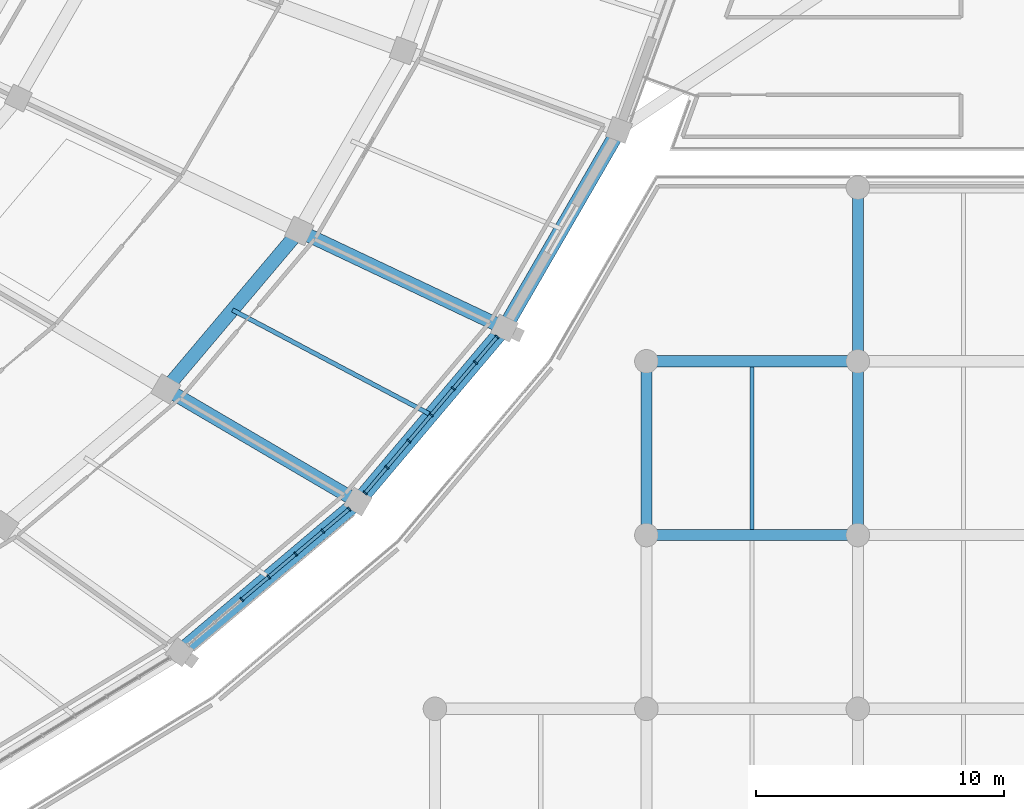
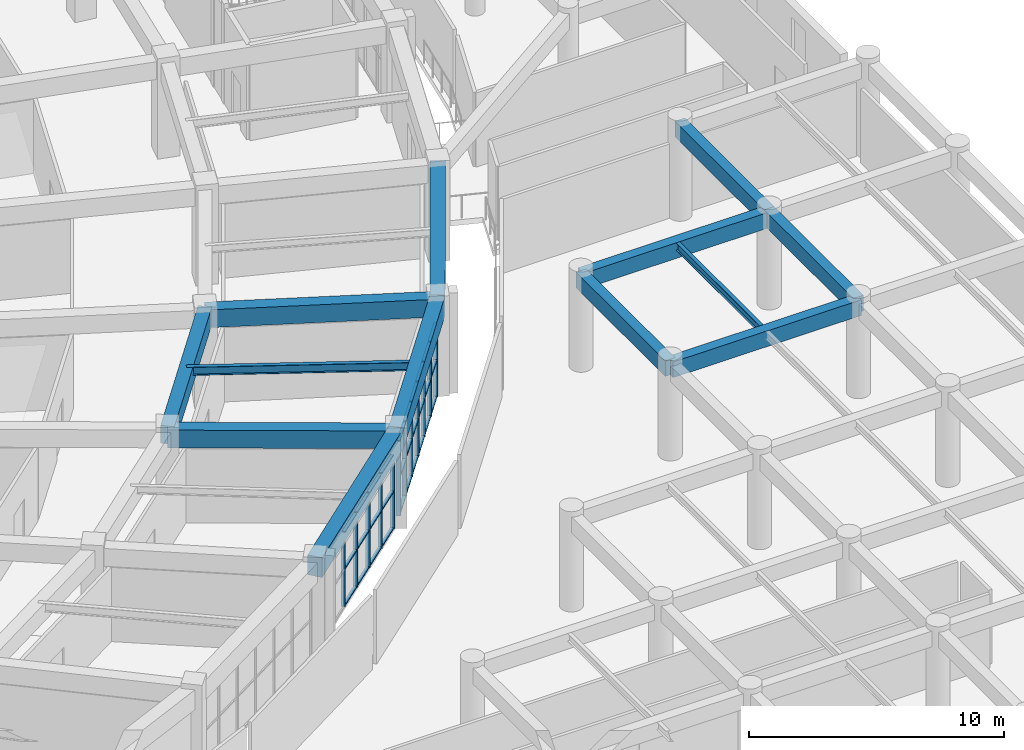
# One storey, part 44 of 152: 42 members, 13 beams, 2 elements without a shape of their own.
"""IFC4 building model written with IfcOpenShell, lengths in metres."""

from ifc_helpers import new_model, si_unit, direction, frame, origin, origin_2d, place, context, subcontext, project, spatial, rectangle, i_section, extrude, material, layer, layer_set, material_profile, profile_set, type_object, element, aggregate, save


model = new_model("IFC4")

# Units and contexts
model_context = context("Model", 3, precision=1e-05, world=origin(), true_north=direction((0.0, 1.0)))
body_context = subcontext(model_context, "Body", "Model", "MODEL_VIEW")
ifc_project = project(units=[si_unit("LENGTHUNIT", "METRE"), si_unit("AREAUNIT", "SQUARE_METRE"), si_unit("VOLUMEUNIT", "CUBIC_METRE"), si_unit("PLANEANGLEUNIT", "RADIAN"), si_unit("MASSUNIT", "GRAM", prefix="KILO")], contexts=[model_context])

# Site, building, storey
site_placement = place(None, origin())
site = spatial("IfcSite", under=ifc_project, at=site_placement, CompositionType="ELEMENT")
building_placement = place(site_placement, origin())
building = spatial("IfcBuilding", under=site, at=building_placement, Name="Mphavela Belvedere Stadium", CompositionType="ELEMENT")
storey_placement = place(building_placement, frame((0.0, 0.0, 5.39990234375)))
storey = spatial("IfcBuildingStorey", under=building, at=storey_placement, Name="L01", CompositionType="ELEMENT", Elevation=5.39990234375)

# Beams
ifc_material_1 = material(Name="Concrete C40/50", Category="concrete")
ifc_material_profile_1 = material_profile(ifc_material_1, rectangle(XDim=0.60009765625, YDim=0.949951171875, at=origin_2d()), Name="RC 600x950")
ifc_profile_set_1 = profile_set([ifc_material_profile_1], Name="Concrete C40/50")
beam_type_1 = type_object("IfcBeamType", Name="BM-ENTABLATURE-950", PredefinedType="SPANDREL", material=ifc_profile_set_1)
beam_1_placement = place(storey_placement, frame((194.155517578125, 30.285400390625, 4.0751953125), z_axis=(0.76426547638, 0.644901761212, 0.0), x_axis=(-0.644901761212, 0.76426547638, 0.0)))
element("IfcBeam", 1, at=beam_1_placement, inside=storey, type_object=beam_type_1, Name="Circumferential girder L01 R4-43", PredefinedType="SPANDREL", context=body_context, shape_type="SweptSolid", body=[
    extrude(rectangle(XDim=0.60009765625, YDim=0.949951171875, at=origin_2d()), origin(), (0.0, 0.0, 1.0), 9.3984375),
])
beam_2_placement = place(storey_placement, frame((201.33837890625, 36.346435546875, 4.0751953125), z_axis=(0.645164552218, 0.764043650952, 0.0), x_axis=(-0.764043650952, 0.645164552218, 0.0)))
element("IfcBeam", 2, at=beam_2_placement, inside=storey, type_object=beam_type_1, Name="Circumferential girder L01 R4-44", PredefinedType="SPANDREL", context=body_context, shape_type="SweptSolid", body=[
    extrude(rectangle(XDim=0.60009765625, YDim=0.949951171875, at=origin_2d()), origin(), (0.0, 0.0, 1.0), 9.151123046875),
])
beam_3_placement = place(storey_placement, frame((207.242431640625, 43.33837890625, 4.0751953125), z_axis=(0.500565297122, 0.865698783248, 0.0), x_axis=(-0.865698783248, 0.500565297122, 0.0)))
element("IfcBeam", 3, at=beam_3_placement, inside=storey, type_object=beam_type_1, Name="Circumferential girder L01 R4-45", PredefinedType="SPANDREL", context=body_context, shape_type="SweptSolid", body=[
    extrude(rectangle(XDim=0.60009765625, YDim=0.949951171875, at=origin_2d()), origin(), (0.0, 0.0, 1.0), 9.217041015625),
])
ifc_material_2 = material(Name="Steel S355", Category="steel")
ifc_material_profile_2 = material_profile(ifc_material_2, i_section(OverallWidth=0.169921875, OverallDepth=0.360107421875, WebThickness=0.008056640625, FlangeThickness=0.0126953125, at=origin_2d()), Name="IPE 360")
ifc_profile_set_2 = profile_set([ifc_material_profile_2], Name="Steel S355")
beam_type_2 = type_object("IfcBeamType", Name="BM-JOIST-IPE360", PredefinedType="JOIST", material=ifc_profile_set_2)
beam_4_placement = place(storey_placement, frame((217.221923828125, 35.22509765625, 4.360107421875), z_axis=(0.0, 1.0, 0.0), x_axis=(-1.0, 0.0, 0.0)))
element("IfcBeam", 4, at=beam_4_placement, inside=storey, type_object=beam_type_2, Name="South Axial Triumphal Peristyle Portico secondary joist L01 26-6", PredefinedType="JOIST", context=body_context, shape_type="SweptSolid", body=[
    extrude(i_section(OverallWidth=0.169921875, OverallDepth=0.360107421875, WebThickness=0.008056640625, FlangeThickness=0.0126953125, at=origin_2d()), origin(), (0.0, 0.0, 1.0), 6.5498046875),
])
ifc_material_3 = material(Name="Steel S355", Category="steel")
ifc_material_profile_3 = material_profile(ifc_material_3, i_section(OverallWidth=0.179931640625, OverallDepth=0.39990234375, WebThickness=0.008544921875, FlangeThickness=0.013427734375, at=origin_2d()), Name="IPE 400")
ifc_profile_set_3 = profile_set([ifc_material_profile_3], Name="Steel S355")
beam_type_3 = type_object("IfcBeamType", Name="BM-JOIST-IPE400", PredefinedType="JOIST", material=ifc_profile_set_3)
beam_5_placement = place(storey_placement, frame((196.2880859375, 44.06884765625, 4.35009765625), z_axis=(0.884250771824, -0.467012390123, 0.0), x_axis=(0.467012390123, 0.884250771824, 0.0)))
element("IfcBeam", 5, at=beam_5_placement, inside=storey, type_object=beam_type_3, Name="Concourse floor joist L01-44", PredefinedType="JOIST", context=body_context, shape_type="SweptSolid", body=[
    extrude(i_section(OverallWidth=0.179931640625, OverallDepth=0.39990234375, WebThickness=0.008544921875, FlangeThickness=0.013427734375, at=origin_2d()), origin(), (0.0, 0.0, 1.0), 9.0498046875),
])
ifc_material_4 = material(Name="Concrete C40/50", Category="concrete")
ifc_material_profile_4 = material_profile(ifc_material_4, rectangle(XDim=0.449951171875, YDim=0.75, at=origin_2d()), Name="RC 450x750")
ifc_profile_set_4 = profile_set([ifc_material_profile_4], Name="Concrete C40/50")
beam_type_4 = type_object("IfcBeamType", Name="BM-RC450x750", PredefinedType="BEAM", material=ifc_profile_set_4)
beam_6_placement = place(storey_placement, frame((212.962890625, 35.0, 4.1650390625), z_axis=(1.0, 0.0, 0.0), x_axis=(0.0, 1.0, 0.0)))
element("IfcBeam", 6, at=beam_6_placement, inside=storey, type_object=beam_type_4, Name="South Axial Triumphal Peristyle Portico entablature beam X L01 26-6", PredefinedType="BEAM", context=body_context, shape_type="SweptSolid", body=[
    extrude(rectangle(XDim=0.449951171875, YDim=0.75, at=origin_2d()), origin(), (0.0, 0.0, 1.0), 8.51806640625),
])
beam_7_placement = place(storey_placement, frame((212.962890625, 35.0, 4.1650390625), z_axis=(0.0, 1.0, 0.0), x_axis=(-1.0, 0.0, 0.0)))
element("IfcBeam", 7, at=beam_7_placement, inside=storey, type_object=beam_type_4, Name="South Axial Triumphal Peristyle Portico entablature beam Y L01 26-6", PredefinedType="BEAM", context=body_context, shape_type="SweptSolid", body=[
    extrude(rectangle(XDim=0.449951171875, YDim=0.75, at=origin_2d()), origin(), (0.0, 0.0, 1.0), 7.0),
])
beam_8_placement = place(storey_placement, frame((212.962890625, 42.0, 4.1650390625), z_axis=(1.0, 0.0, 0.0), x_axis=(0.0, 1.0, 0.0)))
element("IfcBeam", 8, at=beam_8_placement, inside=storey, type_object=beam_type_4, Name="South Axial Triumphal Peristyle Portico entablature beam X L01 26-7", PredefinedType="BEAM", context=body_context, shape_type="SweptSolid", body=[
    extrude(rectangle(XDim=0.449951171875, YDim=0.75, at=origin_2d()), origin(), (0.0, 0.0, 1.0), 8.51806640625),
])
for number, where, z_axis, x_axis, name in (
    (9, (221.48095703125, 35.0, 4.1650390625), (0.0, 1.0, 0.0), (-1.0, 0.0, 0.0), "South Axial Triumphal Peristyle Portico entablature beam Y L01 27-6"),
    (10, (221.48095703125, 42.0, 4.1650390625), (0.0, 1.0, 0.0), (-1.0, 0.0, 0.0), "South Axial Triumphal Peristyle Portico entablature beam Y L01 27-7"),
):
    element("IfcBeam", number, at=place(storey_placement, frame(where, z_axis=z_axis, x_axis=x_axis)), inside=storey, type_object=beam_type_4, Name=name, PredefinedType="BEAM", context=body_context, shape_type="SweptSolid", body=[
        extrude(rectangle(XDim=0.449951171875, YDim=0.75, at=origin_2d()), origin(), (0.0, 0.0, 1.0), 7.0),
    ])
ifc_material_5 = material(Name="Concrete C40/50", Category="concrete")
ifc_material_profile_5 = material_profile(ifc_material_5, rectangle(XDim=0.550048828125, YDim=0.85009765625, at=origin_2d()), Name="RC 550x850")
ifc_profile_set_5 = profile_set([ifc_material_profile_5], Name="Concrete C40/50")
beam_type_5 = type_object("IfcBeamType", Name="BM-RC550x850", PredefinedType="BEAM", material=ifc_profile_set_5)
beam_9_placement = place(storey_placement, frame((193.600341796875, 40.88623046875, 4.125), z_axis=(0.645177396673, 0.764032804808, 0.0), x_axis=(-0.764032804808, 0.645177396673, 0.0)))
element("IfcBeam", 11, at=beam_9_placement, inside=storey, type_object=beam_type_5, Name="Circumferential girder L01 R3-44", PredefinedType="BEAM", context=body_context, shape_type="SweptSolid", body=[
    extrude(rectangle(XDim=0.550048828125, YDim=0.85009765625, at=origin_2d()), origin(), (0.0, 0.0, 1.0), 8.331298828125),
])
beam_10_placement = place(storey_placement, frame((193.600341796875, 40.88623046875, 4.125), z_axis=(0.862517779395, -0.506026758411, 0.0), x_axis=(0.506026758411, 0.862517779395, 0.0)))
element("IfcBeam", 12, at=beam_10_placement, inside=storey, type_object=beam_type_5, Name="Radial concourse girder L01 R3R4-44", PredefinedType="BEAM", context=body_context, shape_type="SweptSolid", body=[
    extrude(rectangle(XDim=0.550048828125, YDim=0.85009765625, at=origin_2d()), origin(), (0.0, 0.0, 1.0), 8.971435546875),
])
beam_11_placement = place(storey_placement, frame((198.9755859375, 47.251708984375, 4.125), z_axis=(0.903845427073, -0.427859140325, 0.0), x_axis=(0.427859140325, 0.903845427073, 0.0)))
element("IfcBeam", 13, at=beam_11_placement, inside=storey, type_object=beam_type_5, Name="Radial concourse girder L01 R3R4-45", PredefinedType="BEAM", context=body_context, shape_type="SweptSolid", body=[
    extrude(rectangle(XDim=0.550048828125, YDim=0.85009765625, at=origin_2d()), origin(), (0.0, 0.0, 1.0), 9.146240234375),
])

# Curtain wall, members
ifc_material_6 = material(Name="Anodised bronze unitised curtain wall framing")
ifc_layer_1 = layer(ifc_material_6, 0.18994140625)
ifc_layer_set_1 = layer_set([ifc_layer_1], Name="Anodised bronze unitised curtain wall framing")
curtain_wall_type_1 = type_object("IfcCurtainWallType", Name="CW-UNIT-03", PredefinedType="USERDEFINED", material=ifc_layer_set_1)
curtain_wall_1_placement = place(storey_placement, origin())
curtain_wall_1 = element("IfcCurtainWall", 14, at=curtain_wall_1_placement, inside=storey, type_object=curtain_wall_type_1, Name="Belvedere colonnade curtain wall L01-43", ObjectType="UNITISED CURTAIN WALL", PredefinedType="USERDEFINED")
ifc_material_7 = material(Name="Anodised bronze extruded aluminium", Category="aluminium")
ifc_material_profile_6 = material_profile(ifc_material_7, rectangle(XDim=0.179931640625, YDim=0.06494140625, at=origin_2d()), Name="CW-MUL 180x65")
ifc_profile_set_6 = profile_set([ifc_material_profile_6], Name="Anodised bronze extruded aluminium")
member_type_1 = type_object("IfcMemberType", Name="CWM-180x65", PredefinedType="MULLION", material=ifc_profile_set_6)
member_1_placement = place(storey_placement, frame((196.65771484375, 32.396728515625, 0.0), z_axis=(0.0, 0.0, 1.0), x_axis=(-0.644909572272, 0.76425888519, 0.0)))
member_1 = element("IfcMember", 15, at=member_1_placement, type_object=member_type_1, Name="CW-03 mullion 3", PredefinedType="MULLION", context=body_context, shape_type="SweptSolid", body=[
    extrude(rectangle(XDim=0.179931640625, YDim=0.06494140625, at=origin_2d()), origin(), (0.0, 0.0, 1.0), 3.570068359375),
])
member_2_placement = place(storey_placement, frame((197.7470703125, 33.31591796875, 0.0), z_axis=(0.0, 0.0, 1.0), x_axis=(-0.644909572272, 0.76425888519, 0.0)))
member_2 = element("IfcMember", 16, at=member_2_placement, type_object=member_type_1, Name="CW-03 mullion 4", PredefinedType="MULLION", context=body_context, shape_type="SweptSolid", body=[
    extrude(rectangle(XDim=0.179931640625, YDim=0.06494140625, at=origin_2d()), origin(), (0.0, 0.0, 1.0), 3.570068359375),
])
member_3_placement = place(storey_placement, frame((198.836181640625, 34.2353515625, 0.0), z_axis=(0.0, 0.0, 1.0), x_axis=(-0.644909572272, 0.76425888519, 0.0)))
member_3 = element("IfcMember", 17, at=member_3_placement, type_object=member_type_1, Name="CW-03 mullion 5", PredefinedType="MULLION", context=body_context, shape_type="SweptSolid", body=[
    extrude(rectangle(XDim=0.179931640625, YDim=0.06494140625, at=origin_2d()), origin(), (0.0, 0.0, 1.0), 3.570068359375),
])
member_4_placement = place(storey_placement, frame((199.925537109375, 35.154541015625, 0.0), z_axis=(0.0, 0.0, 1.0), x_axis=(-0.644909572272, 0.76425888519, 0.0)))
member_4 = element("IfcMember", 18, at=member_4_placement, type_object=member_type_1, Name="CW-03 mullion 6", PredefinedType="MULLION", context=body_context, shape_type="SweptSolid", body=[
    extrude(rectangle(XDim=0.179931640625, YDim=0.06494140625, at=origin_2d()), origin(), (0.0, 0.0, 1.0), 3.570068359375),
])
member_5_placement = place(storey_placement, frame((200.990234375, 36.052734375, 0.0), z_axis=(0.0, 0.0, 1.0), x_axis=(-0.644909572272, 0.76425888519, 0.0)))
member_5 = element("IfcMember", 19, at=member_5_placement, type_object=member_type_1, Name="CW-03 mullion 7", PredefinedType="MULLION", context=body_context, shape_type="SweptSolid", body=[
    extrude(rectangle(XDim=0.179931640625, YDim=0.06494140625, at=origin_2d()), origin(), (0.0, 0.0, 1.0), 3.570068359375),
])

ifc_material_8 = material(Name="Anodised bronze unitised curtain wall framing")
ifc_layer_2 = layer(ifc_material_8, 0.195068359375)
ifc_layer_set_2 = layer_set([ifc_layer_2], Name="Anodised bronze unitised curtain wall framing")
curtain_wall_type_2 = type_object("IfcCurtainWallType", Name="CW-UNIT-04", PredefinedType="USERDEFINED", material=ifc_layer_set_2)
curtain_wall_2_placement = place(storey_placement, origin())
curtain_wall_2 = element("IfcCurtainWall", 20, at=curtain_wall_2_placement, inside=storey, type_object=curtain_wall_type_2, Name="Belvedere colonnade curtain wall L01-44", ObjectType="UNITISED CURTAIN WALL", PredefinedType="USERDEFINED")
member_6_placement = place(storey_placement, frame((201.632080078125, 36.694580078125, 0.0), z_axis=(0.0, 0.0, 1.0), x_axis=(-0.764036246659, 0.645173320737, 0.0)))
member_6 = element("IfcMember", 21, at=member_6_placement, type_object=member_type_1, Name="CW-04 mullion 1", PredefinedType="MULLION", context=body_context, shape_type="SweptSolid", body=[
    extrude(rectangle(XDim=0.179931640625, YDim=0.06494140625, at=origin_2d()), origin(), (0.0, 0.0, 1.0), 3.570068359375),
])
member_7_placement = place(storey_placement, frame((202.504150390625, 37.727294921875, 0.0), z_axis=(0.0, 0.0, 1.0), x_axis=(-0.764036246659, 0.645173320737, 0.0)))
member_7 = element("IfcMember", 22, at=member_7_placement, type_object=member_type_1, Name="CW-04 mullion 2", PredefinedType="MULLION", context=body_context, shape_type="SweptSolid", body=[
    extrude(rectangle(XDim=0.179931640625, YDim=0.06494140625, at=origin_2d()), origin(), (0.0, 0.0, 1.0), 3.570068359375),
])
member_8_placement = place(storey_placement, frame((203.397216796875, 38.784912109375, 0.0), z_axis=(0.0, 0.0, 1.0), x_axis=(-0.764036246659, 0.645173320737, 0.0)))
member_8 = element("IfcMember", 23, at=member_8_placement, type_object=member_type_1, Name="CW-04 mullion 3", PredefinedType="MULLION", context=body_context, shape_type="SweptSolid", body=[
    extrude(rectangle(XDim=0.179931640625, YDim=0.06494140625, at=origin_2d()), origin(), (0.0, 0.0, 1.0), 3.570068359375),
])
member_9_placement = place(storey_placement, frame((204.290283203125, 39.842529296875, 0.0), z_axis=(0.0, 0.0, 1.0), x_axis=(-0.764036246659, 0.645173320737, 0.0)))
member_9 = element("IfcMember", 24, at=member_9_placement, type_object=member_type_1, Name="CW-04 mullion 4", PredefinedType="MULLION", context=body_context, shape_type="SweptSolid", body=[
    extrude(rectangle(XDim=0.179931640625, YDim=0.06494140625, at=origin_2d()), origin(), (0.0, 0.0, 1.0), 3.570068359375),
])
member_10_placement = place(storey_placement, frame((205.183349609375, 40.900146484375, 0.0), z_axis=(0.0, 0.0, 1.0), x_axis=(-0.764036246659, 0.645173320737, 0.0)))
member_10 = element("IfcMember", 25, at=member_10_placement, type_object=member_type_1, Name="CW-04 mullion 5", PredefinedType="MULLION", context=body_context, shape_type="SweptSolid", body=[
    extrude(rectangle(XDim=0.179931640625, YDim=0.06494140625, at=origin_2d()), origin(), (0.0, 0.0, 1.0), 3.570068359375),
])
member_11_placement = place(storey_placement, frame((206.076416015625, 41.957763671875, 0.0), z_axis=(0.0, 0.0, 1.0), x_axis=(-0.764036246659, 0.645173320737, 0.0)))
member_11 = element("IfcMember", 26, at=member_11_placement, type_object=member_type_1, Name="CW-04 mullion 6", PredefinedType="MULLION", context=body_context, shape_type="SweptSolid", body=[
    extrude(rectangle(XDim=0.179931640625, YDim=0.06494140625, at=origin_2d()), origin(), (0.0, 0.0, 1.0), 3.570068359375),
])
member_12_placement = place(storey_placement, frame((206.94873046875, 42.990478515625, 0.0), z_axis=(0.0, 0.0, 1.0), x_axis=(-0.764036246659, 0.645173320737, 0.0)))
member_12 = element("IfcMember", 27, at=member_12_placement, type_object=member_type_1, Name="CW-04 mullion 7", PredefinedType="MULLION", context=body_context, shape_type="SweptSolid", body=[
    extrude(rectangle(XDim=0.179931640625, YDim=0.06494140625, at=origin_2d()), origin(), (0.0, 0.0, 1.0), 3.570068359375),
])

# Member
ifc_material_9 = material(Name="Anodised bronze extruded aluminium", Category="aluminium")
ifc_material_profile_7 = material_profile(ifc_material_9, rectangle(XDim=0.139892578125, YDim=0.06005859375, at=origin_2d()), Name="CW-TRN 140x60")
ifc_profile_set_7 = profile_set([ifc_material_profile_7], Name="Anodised bronze extruded aluminium")
member_type_2 = type_object("IfcMemberType", Name="CWT-140x60", PredefinedType="USERDEFINED", material=ifc_profile_set_7)
member_13_placement = place(storey_placement, frame((196.682373046875, 32.417724609375, 0.030029296875), z_axis=(0.764338471847, 0.644815245209, 0.0), x_axis=(-0.644815245209, 0.764338471847, 0.0)))
member_13 = element("IfcMember", 28, at=member_13_placement, type_object=member_type_2, Name="CW-03 transom 3.1", ObjectType="TRANSOM", PredefinedType="USERDEFINED", context=body_context, shape_type="SweptSolid", body=[
    extrude(rectangle(XDim=0.139892578125, YDim=0.06005859375, at=origin_2d()), origin(), (0.0, 0.0, 1.0), 1.3603515625),
])

member_14_placement = place(storey_placement, frame((196.682373046875, 32.417724609375, 1.78515625), z_axis=(0.764338471847, 0.644815245209, 0.0), x_axis=(-0.644815245209, 0.764338471847, 0.0)))
member_14 = element("IfcMember", 29, at=member_14_placement, type_object=member_type_2, Name="CW-03 transom 3.2", ObjectType="TRANSOM", PredefinedType="USERDEFINED", context=body_context, shape_type="SweptSolid", body=[
    extrude(rectangle(XDim=0.139892578125, YDim=0.06005859375, at=origin_2d()), origin(), (0.0, 0.0, 1.0), 1.3603515625),
])

member_15_placement = place(storey_placement, frame((196.682373046875, 32.417724609375, 3.5400390625), z_axis=(0.764338471847, 0.644815245209, 0.0), x_axis=(-0.644815245209, 0.764338471847, 0.0)))
member_15 = element("IfcMember", 30, at=member_15_placement, type_object=member_type_2, Name="CW-03 transom 3.3", ObjectType="TRANSOM", PredefinedType="USERDEFINED", context=body_context, shape_type="SweptSolid", body=[
    extrude(rectangle(XDim=0.139892578125, YDim=0.06005859375, at=origin_2d()), origin(), (0.0, 0.0, 1.0), 1.3603515625),
])

member_16_placement = place(storey_placement, frame((197.771728515625, 33.3369140625, 0.030029296875), z_axis=(0.764250024637, 0.644920072445, 0.0), x_axis=(-0.644920072445, 0.764250024637, 0.0)))
member_16 = element("IfcMember", 31, at=member_16_placement, type_object=member_type_2, Name="CW-03 transom 4.1", ObjectType="TRANSOM", PredefinedType="USERDEFINED", context=body_context, shape_type="SweptSolid", body=[
    extrude(rectangle(XDim=0.139892578125, YDim=0.06005859375, at=origin_2d()), origin(), (0.0, 0.0, 1.0), 1.360595703125),
])

member_17_placement = place(storey_placement, frame((197.771728515625, 33.3369140625, 1.78515625), z_axis=(0.764250024637, 0.644920072445, 0.0), x_axis=(-0.644920072445, 0.764250024637, 0.0)))
member_17 = element("IfcMember", 32, at=member_17_placement, type_object=member_type_2, Name="CW-03 transom 4.2", ObjectType="TRANSOM", PredefinedType="USERDEFINED", context=body_context, shape_type="SweptSolid", body=[
    extrude(rectangle(XDim=0.139892578125, YDim=0.06005859375, at=origin_2d()), origin(), (0.0, 0.0, 1.0), 1.360595703125),
])

member_18_placement = place(storey_placement, frame((197.771728515625, 33.3369140625, 3.5400390625), z_axis=(0.764250024637, 0.644920072445, 0.0), x_axis=(-0.644920072445, 0.764250024637, 0.0)))
member_18 = element("IfcMember", 33, at=member_18_placement, type_object=member_type_2, Name="CW-03 transom 4.3", ObjectType="TRANSOM", PredefinedType="USERDEFINED", context=body_context, shape_type="SweptSolid", body=[
    extrude(rectangle(XDim=0.139892578125, YDim=0.06005859375, at=origin_2d()), origin(), (0.0, 0.0, 1.0), 1.360595703125),
])

member_19_placement = place(storey_placement, frame((198.861083984375, 34.256103515625, 0.030029296875), z_axis=(0.764250024637, 0.644920072445, 0.0), x_axis=(-0.644920072445, 0.764250024637, 0.0)))
member_19 = element("IfcMember", 34, at=member_19_placement, type_object=member_type_2, Name="CW-03 transom 5.1", ObjectType="TRANSOM", PredefinedType="USERDEFINED", context=body_context, shape_type="SweptSolid", body=[
    extrude(rectangle(XDim=0.139892578125, YDim=0.06005859375, at=origin_2d()), origin(), (0.0, 0.0, 1.0), 1.360595703125),
])

member_20_placement = place(storey_placement, frame((198.861083984375, 34.256103515625, 1.78515625), z_axis=(0.764250024637, 0.644920072445, 0.0), x_axis=(-0.644920072445, 0.764250024637, 0.0)))
member_20 = element("IfcMember", 35, at=member_20_placement, type_object=member_type_2, Name="CW-03 transom 5.2", ObjectType="TRANSOM", PredefinedType="USERDEFINED", context=body_context, shape_type="SweptSolid", body=[
    extrude(rectangle(XDim=0.139892578125, YDim=0.06005859375, at=origin_2d()), origin(), (0.0, 0.0, 1.0), 1.360595703125),
])

member_21_placement = place(storey_placement, frame((198.861083984375, 34.256103515625, 3.5400390625), z_axis=(0.764250024637, 0.644920072445, 0.0), x_axis=(-0.644920072445, 0.764250024637, 0.0)))
member_21 = element("IfcMember", 36, at=member_21_placement, type_object=member_type_2, Name="CW-03 transom 5.3", ObjectType="TRANSOM", PredefinedType="USERDEFINED", context=body_context, shape_type="SweptSolid", body=[
    extrude(rectangle(XDim=0.139892578125, YDim=0.06005859375, at=origin_2d()), origin(), (0.0, 0.0, 1.0), 1.360595703125),
])

member_22_placement = place(storey_placement, frame((199.950439453125, 35.175537109375, 0.030029296875), z_axis=(0.764333961041, 0.644820592103, 0.0), x_axis=(-0.644820592103, 0.764333961041, 0.0)))
member_22 = element("IfcMember", 37, at=member_22_placement, type_object=member_type_2, Name="CW-03 transom 6.1", ObjectType="TRANSOM", PredefinedType="USERDEFINED", context=body_context, shape_type="SweptSolid", body=[
    extrude(rectangle(XDim=0.139892578125, YDim=0.06005859375, at=origin_2d()), origin(), (0.0, 0.0, 1.0), 1.327880859375),
])

member_23_placement = place(storey_placement, frame((199.950439453125, 35.175537109375, 1.78515625), z_axis=(0.764333961041, 0.644820592103, 0.0), x_axis=(-0.644820592103, 0.764333961041, 0.0)))
member_23 = element("IfcMember", 38, at=member_23_placement, type_object=member_type_2, Name="CW-03 transom 6.2", ObjectType="TRANSOM", PredefinedType="USERDEFINED", context=body_context, shape_type="SweptSolid", body=[
    extrude(rectangle(XDim=0.139892578125, YDim=0.06005859375, at=origin_2d()), origin(), (0.0, 0.0, 1.0), 1.327880859375),
])

member_24_placement = place(storey_placement, frame((199.950439453125, 35.175537109375, 3.5400390625), z_axis=(0.764333961041, 0.644820592103, 0.0), x_axis=(-0.644820592103, 0.764333961041, 0.0)))
member_24 = element("IfcMember", 39, at=member_24_placement, type_object=member_type_2, Name="CW-03 transom 6.3", ObjectType="TRANSOM", PredefinedType="USERDEFINED", context=body_context, shape_type="SweptSolid", body=[
    extrude(rectangle(XDim=0.139892578125, YDim=0.06005859375, at=origin_2d()), origin(), (0.0, 0.0, 1.0), 1.327880859375),
])

aggregate(curtain_wall_1, [member_1, member_2, member_3, member_4, member_5, member_13, member_14, member_15, member_16, member_17, member_18, member_19, member_20, member_21, member_22, member_23, member_24])

member_25_placement = place(storey_placement, frame((201.653076171875, 36.719482421875, 0.030029296875), z_axis=(0.645321105216, 0.763911428873, 0.0), x_axis=(-0.763911428873, 0.645321105216, 0.0)))
member_25 = element("IfcMember", 40, at=member_25_placement, type_object=member_type_2, Name="CW-04 transom 1.1", ObjectType="TRANSOM", PredefinedType="USERDEFINED", context=body_context, shape_type="SweptSolid", body=[
    extrude(rectangle(XDim=0.139892578125, YDim=0.06005859375, at=origin_2d()), origin(), (0.0, 0.0, 1.0), 1.28662109375),
])

member_26_placement = place(storey_placement, frame((201.653076171875, 36.719482421875, 1.78515625), z_axis=(0.645321105216, 0.763911428873, 0.0), x_axis=(-0.763911428873, 0.645321105216, 0.0)))
member_26 = element("IfcMember", 41, at=member_26_placement, type_object=member_type_2, Name="CW-04 transom 1.2", ObjectType="TRANSOM", PredefinedType="USERDEFINED", context=body_context, shape_type="SweptSolid", body=[
    extrude(rectangle(XDim=0.139892578125, YDim=0.06005859375, at=origin_2d()), origin(), (0.0, 0.0, 1.0), 1.28662109375),
])

member_27_placement = place(storey_placement, frame((201.653076171875, 36.719482421875, 3.5400390625), z_axis=(0.645321105216, 0.763911428873, 0.0), x_axis=(-0.763911428873, 0.645321105216, 0.0)))
member_27 = element("IfcMember", 42, at=member_27_placement, type_object=member_type_2, Name="CW-04 transom 1.3", ObjectType="TRANSOM", PredefinedType="USERDEFINED", context=body_context, shape_type="SweptSolid", body=[
    extrude(rectangle(XDim=0.139892578125, YDim=0.06005859375, at=origin_2d()), origin(), (0.0, 0.0, 1.0), 1.28662109375),
])

member_28_placement = place(storey_placement, frame((202.525146484375, 37.752197265625, 0.030029296875), z_axis=(0.64530324023, 0.763926520124, 0.0), x_axis=(-0.763926520124, 0.64530324023, 0.0)))
member_28 = element("IfcMember", 43, at=member_28_placement, type_object=member_type_2, Name="CW-04 transom 2.1", ObjectType="TRANSOM", PredefinedType="USERDEFINED", context=body_context, shape_type="SweptSolid", body=[
    extrude(rectangle(XDim=0.139892578125, YDim=0.06005859375, at=origin_2d()), origin(), (0.0, 0.0, 1.0), 1.3193359375),
])

member_29_placement = place(storey_placement, frame((202.525146484375, 37.752197265625, 1.78515625), z_axis=(0.64530324023, 0.763926520124, 0.0), x_axis=(-0.763926520124, 0.64530324023, 0.0)))
member_29 = element("IfcMember", 44, at=member_29_placement, type_object=member_type_2, Name="CW-04 transom 2.2", ObjectType="TRANSOM", PredefinedType="USERDEFINED", context=body_context, shape_type="SweptSolid", body=[
    extrude(rectangle(XDim=0.139892578125, YDim=0.06005859375, at=origin_2d()), origin(), (0.0, 0.0, 1.0), 1.3193359375),
])

member_30_placement = place(storey_placement, frame((202.525146484375, 37.752197265625, 3.5400390625), z_axis=(0.64530324023, 0.763926520124, 0.0), x_axis=(-0.763926520124, 0.64530324023, 0.0)))
member_30 = element("IfcMember", 45, at=member_30_placement, type_object=member_type_2, Name="CW-04 transom 2.3", ObjectType="TRANSOM", PredefinedType="USERDEFINED", context=body_context, shape_type="SweptSolid", body=[
    extrude(rectangle(XDim=0.139892578125, YDim=0.06005859375, at=origin_2d()), origin(), (0.0, 0.0, 1.0), 1.3193359375),
])

member_31_placement = place(storey_placement, frame((203.418212890625, 38.809814453125, 0.030029296875), z_axis=(0.64530324023, 0.763926520124, 0.0), x_axis=(-0.763926520124, 0.64530324023, 0.0)))
member_31 = element("IfcMember", 46, at=member_31_placement, type_object=member_type_2, Name="CW-04 transom 3.1", ObjectType="TRANSOM", PredefinedType="USERDEFINED", context=body_context, shape_type="SweptSolid", body=[
    extrude(rectangle(XDim=0.139892578125, YDim=0.06005859375, at=origin_2d()), origin(), (0.0, 0.0, 1.0), 1.3193359375),
])

member_32_placement = place(storey_placement, frame((203.418212890625, 38.809814453125, 1.78515625), z_axis=(0.64530324023, 0.763926520124, 0.0), x_axis=(-0.763926520124, 0.64530324023, 0.0)))
member_32 = element("IfcMember", 47, at=member_32_placement, type_object=member_type_2, Name="CW-04 transom 3.2", ObjectType="TRANSOM", PredefinedType="USERDEFINED", context=body_context, shape_type="SweptSolid", body=[
    extrude(rectangle(XDim=0.139892578125, YDim=0.06005859375, at=origin_2d()), origin(), (0.0, 0.0, 1.0), 1.3193359375),
])

member_33_placement = place(storey_placement, frame((203.418212890625, 38.809814453125, 3.5400390625), z_axis=(0.64530324023, 0.763926520124, 0.0), x_axis=(-0.763926520124, 0.64530324023, 0.0)))
member_33 = element("IfcMember", 48, at=member_33_placement, type_object=member_type_2, Name="CW-04 transom 3.3", ObjectType="TRANSOM", PredefinedType="USERDEFINED", context=body_context, shape_type="SweptSolid", body=[
    extrude(rectangle(XDim=0.139892578125, YDim=0.06005859375, at=origin_2d()), origin(), (0.0, 0.0, 1.0), 1.3193359375),
])

member_34_placement = place(storey_placement, frame((204.311279296875, 39.867431640625, 0.030029296875), z_axis=(0.64530324023, 0.763926520124, 0.0), x_axis=(-0.763926520124, 0.64530324023, 0.0)))
member_34 = element("IfcMember", 49, at=member_34_placement, type_object=member_type_2, Name="CW-04 transom 4.1", ObjectType="TRANSOM", PredefinedType="USERDEFINED", context=body_context, shape_type="SweptSolid", body=[
    extrude(rectangle(XDim=0.139892578125, YDim=0.06005859375, at=origin_2d()), origin(), (0.0, 0.0, 1.0), 1.3193359375),
])

member_35_placement = place(storey_placement, frame((204.311279296875, 39.867431640625, 1.78515625), z_axis=(0.64530324023, 0.763926520124, 0.0), x_axis=(-0.763926520124, 0.64530324023, 0.0)))
member_35 = element("IfcMember", 50, at=member_35_placement, type_object=member_type_2, Name="CW-04 transom 4.2", ObjectType="TRANSOM", PredefinedType="USERDEFINED", context=body_context, shape_type="SweptSolid", body=[
    extrude(rectangle(XDim=0.139892578125, YDim=0.06005859375, at=origin_2d()), origin(), (0.0, 0.0, 1.0), 1.3193359375),
])

member_36_placement = place(storey_placement, frame((204.311279296875, 39.867431640625, 3.5400390625), z_axis=(0.64530324023, 0.763926520124, 0.0), x_axis=(-0.763926520124, 0.64530324023, 0.0)))
member_36 = element("IfcMember", 51, at=member_36_placement, type_object=member_type_2, Name="CW-04 transom 4.3", ObjectType="TRANSOM", PredefinedType="USERDEFINED", context=body_context, shape_type="SweptSolid", body=[
    extrude(rectangle(XDim=0.139892578125, YDim=0.06005859375, at=origin_2d()), origin(), (0.0, 0.0, 1.0), 1.3193359375),
])

member_37_placement = place(storey_placement, frame((205.204345703125, 40.925048828125, 0.030029296875), z_axis=(0.64530324023, 0.763926520124, 0.0), x_axis=(-0.763926520124, 0.64530324023, 0.0)))
member_37 = element("IfcMember", 52, at=member_37_placement, type_object=member_type_2, Name="CW-04 transom 5.1", ObjectType="TRANSOM", PredefinedType="USERDEFINED", context=body_context, shape_type="SweptSolid", body=[
    extrude(rectangle(XDim=0.139892578125, YDim=0.06005859375, at=origin_2d()), origin(), (0.0, 0.0, 1.0), 1.3193359375),
])

member_38_placement = place(storey_placement, frame((205.204345703125, 40.925048828125, 1.78515625), z_axis=(0.64530324023, 0.763926520124, 0.0), x_axis=(-0.763926520124, 0.64530324023, 0.0)))
member_38 = element("IfcMember", 53, at=member_38_placement, type_object=member_type_2, Name="CW-04 transom 5.2", ObjectType="TRANSOM", PredefinedType="USERDEFINED", context=body_context, shape_type="SweptSolid", body=[
    extrude(rectangle(XDim=0.139892578125, YDim=0.06005859375, at=origin_2d()), origin(), (0.0, 0.0, 1.0), 1.3193359375),
])

member_39_placement = place(storey_placement, frame((205.204345703125, 40.925048828125, 3.5400390625), z_axis=(0.64530324023, 0.763926520124, 0.0), x_axis=(-0.763926520124, 0.64530324023, 0.0)))
member_39 = element("IfcMember", 54, at=member_39_placement, type_object=member_type_2, Name="CW-04 transom 5.3", ObjectType="TRANSOM", PredefinedType="USERDEFINED", context=body_context, shape_type="SweptSolid", body=[
    extrude(rectangle(XDim=0.139892578125, YDim=0.06005859375, at=origin_2d()), origin(), (0.0, 0.0, 1.0), 1.3193359375),
])

member_40_placement = place(storey_placement, frame((206.097412109375, 41.982421875, 0.030029296875), z_axis=(0.645227575929, 0.763990428776, 0.0), x_axis=(-0.763990428776, 0.645227575929, 0.0)))
member_40 = element("IfcMember", 55, at=member_40_placement, type_object=member_type_2, Name="CW-04 transom 6.1", ObjectType="TRANSOM", PredefinedType="USERDEFINED", context=body_context, shape_type="SweptSolid", body=[
    extrude(rectangle(XDim=0.139892578125, YDim=0.06005859375, at=origin_2d()), origin(), (0.0, 0.0, 1.0), 1.286865234375),
])

member_41_placement = place(storey_placement, frame((206.097412109375, 41.982421875, 1.78515625), z_axis=(0.645227575929, 0.763990428776, 0.0), x_axis=(-0.763990428776, 0.645227575929, 0.0)))
member_41 = element("IfcMember", 56, at=member_41_placement, type_object=member_type_2, Name="CW-04 transom 6.2", ObjectType="TRANSOM", PredefinedType="USERDEFINED", context=body_context, shape_type="SweptSolid", body=[
    extrude(rectangle(XDim=0.139892578125, YDim=0.06005859375, at=origin_2d()), origin(), (0.0, 0.0, 1.0), 1.286865234375),
])

member_42_placement = place(storey_placement, frame((206.097412109375, 41.982421875, 3.5400390625), z_axis=(0.645227575929, 0.763990428776, 0.0), x_axis=(-0.763990428776, 0.645227575929, 0.0)))
member_42 = element("IfcMember", 57, at=member_42_placement, type_object=member_type_2, Name="CW-04 transom 6.3", ObjectType="TRANSOM", PredefinedType="USERDEFINED", context=body_context, shape_type="SweptSolid", body=[
    extrude(rectangle(XDim=0.139892578125, YDim=0.06005859375, at=origin_2d()), origin(), (0.0, 0.0, 1.0), 1.286865234375),
])

aggregate(curtain_wall_2, [member_6, member_7, member_8, member_9, member_10, member_11, member_12, member_25, member_26, member_27, member_28, member_29, member_30, member_31, member_32, member_33, member_34, member_35, member_36, member_37, member_38, member_39, member_40, member_41, member_42])

save(model, "model.ifc")
